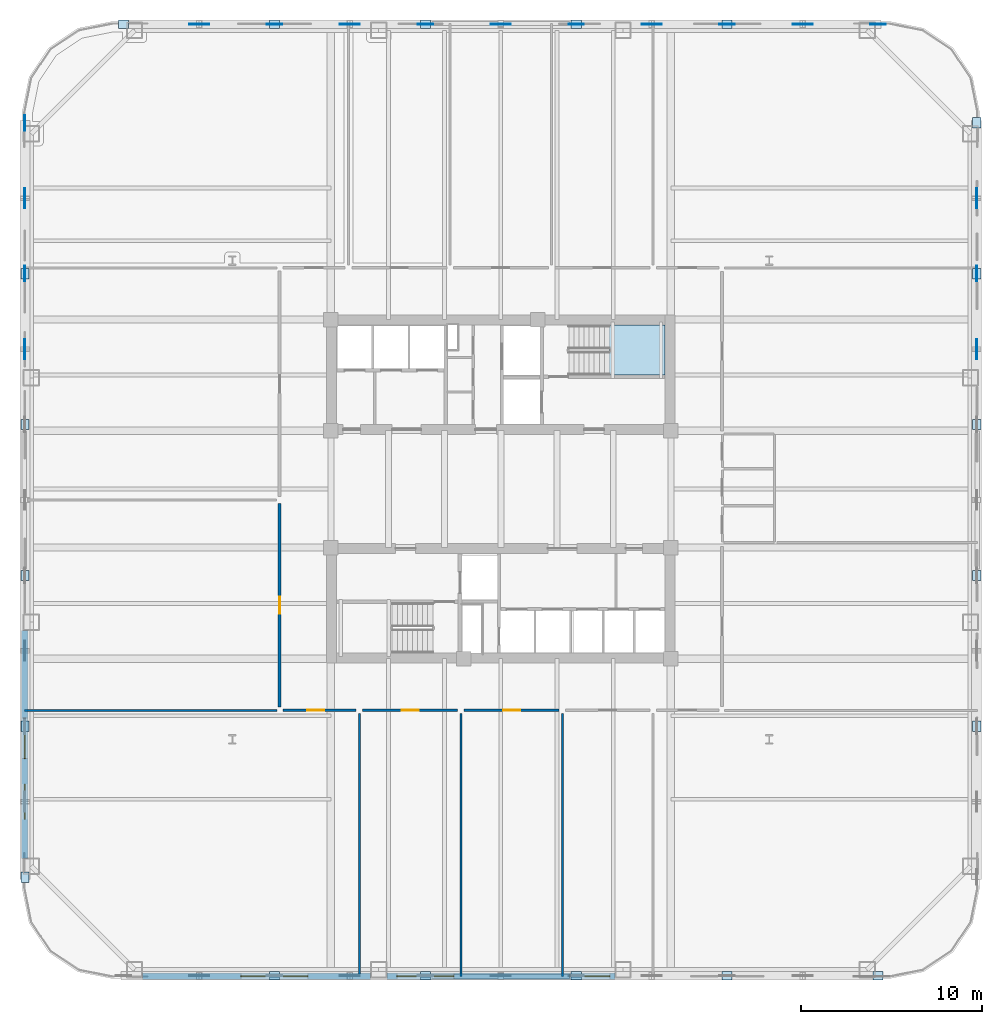
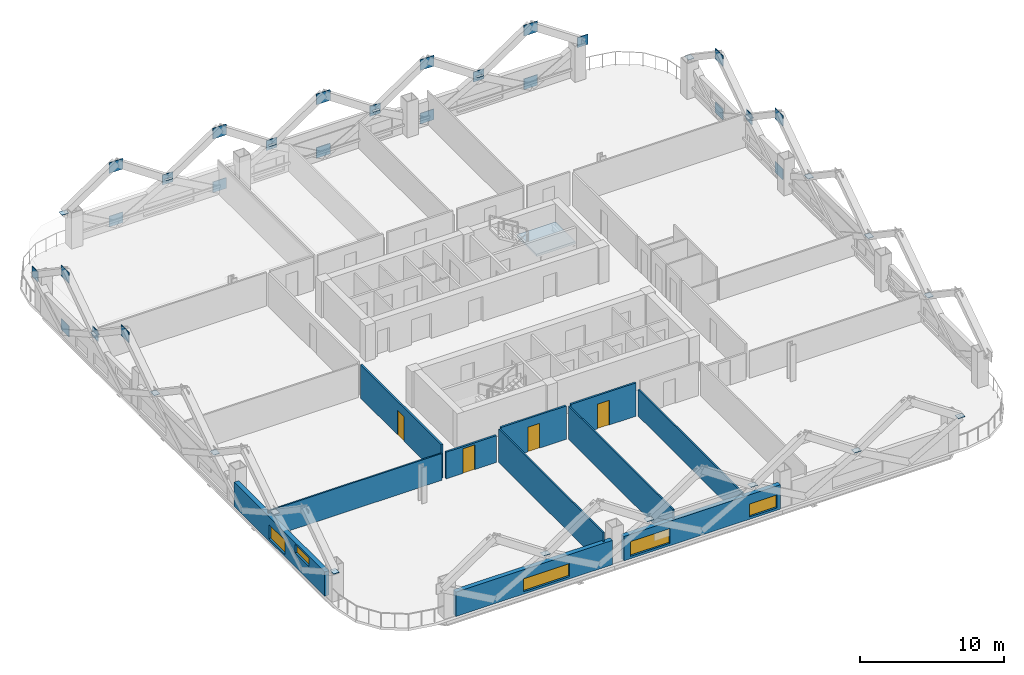
# One storey, part 4 of 14: 45 plates, 11 walls, 5 windows, 4 doors, 1 slab, 9 openings, 1 element without a shape of its own.
"""IFC4 building model written with IfcOpenShell, lengths in metres."""

from ifc_helpers import new_model, si_unit, direction, frame, frame_2d, origin, origin_2d, place, context, subcontext, project, spatial, polyline, rectangle, outline, extrude, material, layer, layer_set, type_object, element, fill, aggregate, save


model = new_model("IFC4")

# Units and contexts
model_context = context("Model", 3, precision=1e-05, world=origin(), true_north=direction((0.0, 1.0)))
body_context = subcontext(model_context, "Body", "Model", "MODEL_VIEW")
ifc_project = project(units=[si_unit("LENGTHUNIT", "METRE"), si_unit("AREAUNIT", "SQUARE_METRE"), si_unit("VOLUMEUNIT", "CUBIC_METRE"), si_unit("PLANEANGLEUNIT", "RADIAN"), si_unit("MASSUNIT", "GRAM", prefix="KILO")], contexts=[model_context])

# Site, building, storey
site_placement = place(None, origin())
site = spatial("IfcSite", under=ifc_project, at=site_placement, CompositionType="ELEMENT")
building_placement = place(site_placement, origin())
building = spatial("IfcBuilding", under=site, at=building_placement, Name="Qhalaya Broadcast Tower", CompositionType="ELEMENT")
storey_placement = place(building_placement, frame((0.0, 0.0, 38.300048828125)))
storey = spatial("IfcBuildingStorey", under=building, at=storey_placement, Name="L10", CompositionType="ELEMENT", Elevation=38.300048828125)

# Plates
ifc_material_1 = material(Name="Structural Steel ASTM A572 Grade 50", Category="steel")
ifc_layer_1 = layer(ifc_material_1, 0.054931640625, Name="Structural Steel ASTM A572 Grade 50")
ifc_layer_set_1 = layer_set([ifc_layer_1], Name="Structural Steel ASTM A572 Grade 50")
plate_type_1 = type_object("IfcPlateType", Name="Exoskeleton Diamond Node Gusset Plate NP-01", PredefinedType="USERDEFINED", material=ifc_layer_set_1)
for number, where, z_axis, x_axis, name in (
    (1, (26.239990234375, 8.320068359375, 0.2099609375), (0.0, 0.0, 1.0), (0.0, 1.0, 0.0), "Exoskeleton Diamond Node B1-E4-BOT"),
    (2, (26.239990234375, 8.320068359375, 4.75), (0.0, 0.0, 1.0), (0.0, 1.0, 0.0), "Exoskeleton Diamond Node B1-E4-TOP"),
    (3, (26.239990234375, 16.639892578125, 0.2099609375), (0.0, 0.0, 1.0), (0.0, 1.0, 0.0), "Exoskeleton Diamond Node B1-E5-BOT"),
    (4, (26.239990234375, 16.639892578125, 4.75), (0.0, 0.0, 1.0), (0.0, 1.0, 0.0), "Exoskeleton Diamond Node B1-E5-TOP"),
):
    element("IfcPlate", number, at=place(storey_placement, frame(where, z_axis=z_axis, x_axis=x_axis)), inside=storey, type_object=plate_type_1, Name=name, ObjectType="GUSSET_PLATE", PredefinedType="USERDEFINED", context=body_context, shape_type="SweptSolid", body=[
        extrude(rectangle(XDim=1.10009765625, YDim=0.054931640625, at=origin_2d()), origin(), (0.0, 0.0, 1.0), 0.89990234375),
    ])
plate_1_placement = place(storey_placement, frame((26.239990234375, 12.47998046875, 2.264892578125), z_axis=(0.0, 0.0, 1.0), x_axis=(0.0, 1.0, 0.0)))
element("IfcPlate", 5, at=plate_1_placement, inside=storey, type_object=plate_type_1, Name="Exoskeleton Diamond Node B1-E5-MDL", ObjectType="GUSSET_PLATE", PredefinedType="USERDEFINED", context=body_context, shape_type="SweptSolid", body=[
    extrude(rectangle(XDim=0.85009765625, YDim=0.054931640625, at=origin_2d()), origin(), (0.0, 0.0, 1.0), 0.85009765625),
])
for number, where, z_axis, x_axis, name in (
    (6, (16.639892578125, 26.239990234375, 0.2099609375), (0.0, 0.0, 1.0), (1.0, 0.0, 0.0), "Exoskeleton Diamond Node B1-N1-BOT"),
    (7, (16.639892578125, 26.239990234375, 4.75), (0.0, 0.0, 1.0), (1.0, 0.0, 0.0), "Exoskeleton Diamond Node B1-N1-TOP"),
):
    element("IfcPlate", number, at=place(storey_placement, frame(where, z_axis=z_axis, x_axis=x_axis)), inside=storey, type_object=plate_type_1, Name=name, ObjectType="GUSSET_PLATE", PredefinedType="USERDEFINED", context=body_context, shape_type="SweptSolid", body=[
        extrude(rectangle(XDim=1.10009765625, YDim=0.054931640625, at=origin_2d()), origin(), (0.0, 0.0, 1.0), 0.89990234375),
    ])
plate_2_placement = place(storey_placement, frame((20.800048828125, 26.239990234375, 2.264892578125), z_axis=(0.0, 0.0, 1.0), x_axis=(1.0, 0.0, 0.0)))
element("IfcPlate", 8, at=plate_2_placement, inside=storey, type_object=plate_type_1, Name="Exoskeleton Diamond Node B1-N1-MDL", ObjectType="GUSSET_PLATE", PredefinedType="USERDEFINED", context=body_context, shape_type="SweptSolid", body=[
    extrude(rectangle(XDim=0.85009765625, YDim=0.054931640625, at=origin_2d()), origin(), (0.0, 0.0, 1.0), 0.85009765625),
])
for number, where, z_axis, x_axis, name in (
    (9, (8.320068359375, 26.239990234375, 0.2099609375), (0.0, 0.0, 1.0), (1.0, 0.0, 0.0), "Exoskeleton Diamond Node B1-N2-BOT"),
    (10, (8.320068359375, 26.239990234375, 4.75), (0.0, 0.0, 1.0), (1.0, 0.0, 0.0), "Exoskeleton Diamond Node B1-N2-TOP"),
):
    element("IfcPlate", number, at=place(storey_placement, frame(where, z_axis=z_axis, x_axis=x_axis)), inside=storey, type_object=plate_type_1, Name=name, ObjectType="GUSSET_PLATE", PredefinedType="USERDEFINED", context=body_context, shape_type="SweptSolid", body=[
        extrude(rectangle(XDim=1.10009765625, YDim=0.054931640625, at=origin_2d()), origin(), (0.0, 0.0, 1.0), 0.89990234375),
    ])
plate_3_placement = place(storey_placement, frame((12.47998046875, 26.239990234375, 2.264892578125), z_axis=(0.0, 0.0, 1.0), x_axis=(1.0, 0.0, 0.0)))
element("IfcPlate", 11, at=plate_3_placement, inside=storey, type_object=plate_type_1, Name="Exoskeleton Diamond Node B1-N2-MDL", ObjectType="GUSSET_PLATE", PredefinedType="USERDEFINED", context=body_context, shape_type="SweptSolid", body=[
    extrude(rectangle(XDim=0.85009765625, YDim=0.054931640625, at=origin_2d()), origin(), (0.0, 0.0, 1.0), 0.85009765625),
])
for number, where, z_axis, x_axis, name in (
    (12, (0.0, 26.239990234375, 0.2099609375), (0.0, 0.0, 1.0), (1.0, 0.0, 0.0), "Exoskeleton Diamond Node B1-N3-BOT"),
    (13, (0.0, 26.239990234375, 4.75), (0.0, 0.0, 1.0), (1.0, 0.0, 0.0), "Exoskeleton Diamond Node B1-N3-TOP"),
):
    element("IfcPlate", number, at=place(storey_placement, frame(where, z_axis=z_axis, x_axis=x_axis)), inside=storey, type_object=plate_type_1, Name=name, ObjectType="GUSSET_PLATE", PredefinedType="USERDEFINED", context=body_context, shape_type="SweptSolid", body=[
        extrude(rectangle(XDim=1.10009765625, YDim=0.054931640625, at=origin_2d()), origin(), (0.0, 0.0, 1.0), 0.89990234375),
    ])
plate_4_placement = place(storey_placement, frame((4.159912109375, 26.239990234375, 2.264892578125), z_axis=(0.0, 0.0, 1.0), x_axis=(1.0, 0.0, 0.0)))
element("IfcPlate", 14, at=plate_4_placement, inside=storey, type_object=plate_type_1, Name="Exoskeleton Diamond Node B1-N3-MDL", ObjectType="GUSSET_PLATE", PredefinedType="USERDEFINED", context=body_context, shape_type="SweptSolid", body=[
    extrude(rectangle(XDim=0.85009765625, YDim=0.054931640625, at=origin_2d()), origin(), (0.0, 0.0, 1.0), 0.85009765625),
])
for number, where, z_axis, x_axis, name in (
    (15, (-8.320068359375, 26.239990234375, 0.2099609375), (0.0, 0.0, 1.0), (1.0, 0.0, 0.0), "Exoskeleton Diamond Node B1-N4-BOT"),
    (16, (-8.320068359375, 26.239990234375, 4.75), (0.0, 0.0, 1.0), (1.0, 0.0, 0.0), "Exoskeleton Diamond Node B1-N4-TOP"),
):
    element("IfcPlate", number, at=place(storey_placement, frame(where, z_axis=z_axis, x_axis=x_axis)), inside=storey, type_object=plate_type_1, Name=name, ObjectType="GUSSET_PLATE", PredefinedType="USERDEFINED", context=body_context, shape_type="SweptSolid", body=[
        extrude(rectangle(XDim=1.10009765625, YDim=0.054931640625, at=origin_2d()), origin(), (0.0, 0.0, 1.0), 0.89990234375),
    ])
plate_5_placement = place(storey_placement, frame((-4.159912109375, 26.239990234375, 2.264892578125), z_axis=(0.0, 0.0, 1.0), x_axis=(1.0, 0.0, 0.0)))
element("IfcPlate", 17, at=plate_5_placement, inside=storey, type_object=plate_type_1, Name="Exoskeleton Diamond Node B1-N4-MDL", ObjectType="GUSSET_PLATE", PredefinedType="USERDEFINED", context=body_context, shape_type="SweptSolid", body=[
    extrude(rectangle(XDim=0.85009765625, YDim=0.054931640625, at=origin_2d()), origin(), (0.0, 0.0, 1.0), 0.85009765625),
])
for number, where, z_axis, x_axis, name in (
    (18, (-16.639892578125, 26.239990234375, 0.2099609375), (0.0, 0.0, 1.0), (1.0, 0.0, 0.0), "Exoskeleton Diamond Node B1-N5-BOT"),
    (19, (-16.639892578125, 26.239990234375, 4.75), (0.0, 0.0, 1.0), (1.0, 0.0, 0.0), "Exoskeleton Diamond Node B1-N5-TOP"),
):
    element("IfcPlate", number, at=place(storey_placement, frame(where, z_axis=z_axis, x_axis=x_axis)), inside=storey, type_object=plate_type_1, Name=name, ObjectType="GUSSET_PLATE", PredefinedType="USERDEFINED", context=body_context, shape_type="SweptSolid", body=[
        extrude(rectangle(XDim=1.10009765625, YDim=0.054931640625, at=origin_2d()), origin(), (0.0, 0.0, 1.0), 0.89990234375),
    ])
plate_6_placement = place(storey_placement, frame((-12.47998046875, 26.239990234375, 2.264892578125), z_axis=(0.0, 0.0, 1.0), x_axis=(1.0, 0.0, 0.0)))
element("IfcPlate", 20, at=plate_6_placement, inside=storey, type_object=plate_type_1, Name="Exoskeleton Diamond Node B1-N5-MDL", ObjectType="GUSSET_PLATE", PredefinedType="USERDEFINED", context=body_context, shape_type="SweptSolid", body=[
    extrude(rectangle(XDim=0.85009765625, YDim=0.054931640625, at=origin_2d()), origin(), (0.0, 0.0, 1.0), 0.85009765625),
])
for number, where, z_axis, x_axis, name in (
    (21, (-26.239990234375, 16.639892578125, 0.2099609375), (0.0, 0.0, 1.0), (0.0, 1.0, 0.0), "Exoskeleton Diamond Node B1-W1-BOT"),
    (22, (-26.239990234375, 16.639892578125, 4.75), (0.0, 0.0, 1.0), (0.0, 1.0, 0.0), "Exoskeleton Diamond Node B1-W1-TOP"),
):
    element("IfcPlate", number, at=place(storey_placement, frame(where, z_axis=z_axis, x_axis=x_axis)), inside=storey, type_object=plate_type_1, Name=name, ObjectType="GUSSET_PLATE", PredefinedType="USERDEFINED", context=body_context, shape_type="SweptSolid", body=[
        extrude(rectangle(XDim=1.10009765625, YDim=0.054931640625, at=origin_2d()), origin(), (0.0, 0.0, 1.0), 0.89990234375),
    ])
plate_7_placement = place(storey_placement, frame((-26.239990234375, 20.800048828125, 2.264892578125), z_axis=(0.0, 0.0, 1.0), x_axis=(0.0, 1.0, 0.0)))
element("IfcPlate", 23, at=plate_7_placement, inside=storey, type_object=plate_type_1, Name="Exoskeleton Diamond Node B1-W1-MDL", ObjectType="GUSSET_PLATE", PredefinedType="USERDEFINED", context=body_context, shape_type="SweptSolid", body=[
    extrude(rectangle(XDim=0.85009765625, YDim=0.054931640625, at=origin_2d()), origin(), (0.0, 0.0, 1.0), 0.85009765625),
])
plate_8_placement = place(storey_placement, frame((-26.239990234375, 8.320068359375, 4.75), z_axis=(0.0, 0.0, 1.0), x_axis=(0.0, 1.0, 0.0)))
element("IfcPlate", 24, at=plate_8_placement, inside=storey, type_object=plate_type_1, Name="Exoskeleton Diamond Node B1-W2-TOP", ObjectType="GUSSET_PLATE", PredefinedType="USERDEFINED", context=body_context, shape_type="SweptSolid", body=[
    extrude(rectangle(XDim=1.10009765625, YDim=0.054931640625, at=origin_2d()), origin(), (0.0, 0.0, 1.0), 0.89990234375),
])
plate_9_placement = place(storey_placement, frame((-26.239990234375, 12.47998046875, 2.264892578125), z_axis=(0.0, 0.0, 1.0), x_axis=(0.0, 1.0, 0.0)))
element("IfcPlate", 25, at=plate_9_placement, inside=storey, type_object=plate_type_1, Name="Exoskeleton Diamond Node B1-W2-MDL", ObjectType="GUSSET_PLATE", PredefinedType="USERDEFINED", context=body_context, shape_type="SweptSolid", body=[
    extrude(rectangle(XDim=0.85009765625, YDim=0.054931640625, at=origin_2d()), origin(), (0.0, 0.0, 1.0), 0.85009765625),
])
ifc_layer_2 = layer(ifc_material_1, 0.4599609375, Name="Structural Steel ASTM A572 Grade 50")
ifc_layer_set_2 = layer_set([ifc_layer_2], Name="Structural Steel ASTM A572 Grade 50")
plate_type_2 = type_object("IfcPlateType", Name="Hollow Box Member End Cap Plate CP-01", PredefinedType="USERDEFINED", material=ifc_layer_set_2)
for number, where, z_axis, x_axis, name in (
    (26, (-12.47998046875, -26.239990234375, 2.673828125), (0.0, 0.0, 1.0), (1.0, 0.0, 0.0), "Exoskeleton Hollow End Cap B1-S1"),
    (27, (-4.159912109375, -26.239990234375, 2.673828125), (0.0, 0.0, 1.0), (1.0, 0.0, 0.0), "Exoskeleton Hollow End Cap B1-S2"),
    (28, (4.159912109375, -26.239990234375, 2.673828125), (0.0, 0.0, 1.0), (1.0, 0.0, 0.0), "Exoskeleton Hollow End Cap B1-S3"),
    (29, (12.47998046875, -26.239990234375, 2.673828125), (0.0, 0.0, 1.0), (1.0, 0.0, 0.0), "Exoskeleton Hollow End Cap B1-S4"),
    (30, (20.800048828125, -26.239990234375, 2.673828125), (0.0, 0.0, 1.0), (1.0, 0.0, 0.0), "Exoskeleton Hollow End Cap B1-S5"),
    (31, (26.239990234375, -12.47998046875, 2.673828125), (0.0, 0.0, 1.0), (0.0, 1.0, 0.0), "Exoskeleton Hollow End Cap B1-E1"),
    (32, (26.239990234375, -4.159912109375, 2.673828125), (0.0, 0.0, 1.0), (0.0, 1.0, 0.0), "Exoskeleton Hollow End Cap B1-E2"),
    (33, (26.239990234375, 4.159912109375, 2.673828125), (0.0, 0.0, 1.0), (0.0, 1.0, 0.0), "Exoskeleton Hollow End Cap B1-E3"),
    (34, (26.239990234375, 12.47998046875, 2.673828125), (0.0, 0.0, 1.0), (0.0, 1.0, 0.0), "Exoskeleton Hollow End Cap B1-E4"),
    (35, (26.239990234375, 20.800048828125, 2.673828125), (0.0, 0.0, 1.0), (0.0, 1.0, 0.0), "Exoskeleton Hollow End Cap B1-E5"),
    (36, (12.47998046875, 26.239990234375, 2.673828125), (0.0, 0.0, 1.0), (1.0, 0.0, 0.0), "Exoskeleton Hollow End Cap B1-N1"),
    (37, (4.159912109375, 26.239990234375, 2.673828125), (0.0, 0.0, 1.0), (1.0, 0.0, 0.0), "Exoskeleton Hollow End Cap B1-N2"),
    (38, (-4.159912109375, 26.239990234375, 2.673828125), (0.0, 0.0, 1.0), (1.0, 0.0, 0.0), "Exoskeleton Hollow End Cap B1-N3"),
    (39, (-12.47998046875, 26.239990234375, 2.673828125), (0.0, 0.0, 1.0), (1.0, 0.0, 0.0), "Exoskeleton Hollow End Cap B1-N4"),
    (40, (-20.800048828125, 26.239990234375, 2.673828125), (0.0, 0.0, 1.0), (1.0, 0.0, 0.0), "Exoskeleton Hollow End Cap B1-N5"),
    (41, (-26.239990234375, 12.47998046875, 2.673828125), (0.0, 0.0, 1.0), (0.0, 1.0, 0.0), "Exoskeleton Hollow End Cap B1-W1"),
    (42, (-26.239990234375, 4.159912109375, 2.673828125), (0.0, 0.0, 1.0), (0.0, 1.0, 0.0), "Exoskeleton Hollow End Cap B1-W2"),
    (43, (-26.239990234375, -4.159912109375, 2.673828125), (0.0, 0.0, 1.0), (0.0, 1.0, 0.0), "Exoskeleton Hollow End Cap B1-W3"),
    (44, (-26.239990234375, -12.47998046875, 2.673828125), (0.0, 0.0, 1.0), (0.0, 1.0, 0.0), "Exoskeleton Hollow End Cap B1-W4"),
    (45, (-26.239990234375, -20.800048828125, 2.673828125), (0.0, 0.0, 1.0), (0.0, 1.0, 0.0), "Exoskeleton Hollow End Cap B1-W5"),
):
    element("IfcPlate", number, at=place(storey_placement, frame(where, z_axis=z_axis, x_axis=x_axis)), inside=storey, type_object=plate_type_2, Name=name, ObjectType="COVER_PLATE", PredefinedType="USERDEFINED", context=body_context, shape_type="SweptSolid", body=[
        extrude(rectangle(XDim=0.56005859375, YDim=0.4599609375, at=origin_2d()), origin(), (0.0, 0.0, 1.0), 0.031982421875),
    ])

# Stair, slab
ifc_material_2 = material(Name="Concrete C40/50", Category="concrete")
stair_type = type_object("IfcStairType", Name="Protected Dogleg Core Stair 3150", PredefinedType="TWO_STRAIGHT_RUN_STAIR", material=ifc_material_2)
stair_placement = place(storey_placement, origin())
stair = element("IfcStair", 46, at=stair_placement, inside=storey, type_object=stair_type, Name="L10 North Core Exit Stair ST-1", PredefinedType="TWO_STRAIGHT_RUN_STAIR")
ifc_layer_3 = layer(ifc_material_2, 0.199951171875, Name="Concrete C40/50")
ifc_layer_set_3 = layer_set([ifc_layer_3], Name="Concrete C40/50")
slab_type = type_object("IfcSlabType", Name="Stair & Ramp Half-Landing Slab 200", PredefinedType="LANDING", material=ifc_layer_set_3)
slab_placement = place(storey_placement, frame((0.0, 0.0, 1.324951171875)))
slab = element("IfcSlab", 47, at=slab_placement, type_object=slab_type, Name="ST-1 landing 1", PredefinedType="LANDING", context=body_context, shape_type="SweptSolid", body=[
    extrude(outline(polyline([(5.955078125, 6.8798828125), (9.050048828125, 6.8798828125), (9.050048828125, 9.639892578125), (5.955078125, 9.639892578125), (5.955078125, 6.8798828125)])), origin(), (0.0, 0.0, 1.0), 0.199951171875),
])
aggregate(stair, [slab])

# Wall, opening, door
ifc_material_3 = material(Name="Gypsum Acoustic Partition")
ifc_layer_4 = layer(ifc_material_3, 0.14990234375, Name="Gypsum Acoustic Partition")
ifc_layer_set_4 = layer_set([ifc_layer_4], Name="Gypsum Acoustic Partition")
wall_type_1 = type_object("IfcWallType", Name="Corridor & Tenancy Acoustic Partition 150", PredefinedType="PARTITIONING", material=ifc_layer_set_4)
wall_1_placement = place(storey_placement, frame((-12.02001953125, -11.60009765625, 0.0), z_axis=(0.0, 0.0, 1.0), x_axis=(1.0, 0.0, 0.0)))
wall_1 = element("IfcWall", 48, at=wall_1_placement, inside=storey, type_object=wall_type_1, Name="L10 Partition Wall W-COR-06", PredefinedType="PARTITIONING", context=body_context, shape_type="SweptSolid", body=[
    extrude(rectangle(XDim=4.0400390625, YDim=0.14990234375, at=frame_2d((2.02001953125, 0.0))), origin(), (0.0, 0.0, 1.0), 2.27392578125),
])
opening_1_placement = place(wall_1_placement, frame((1.344970703125, 0.0, 0.0)))
opening_1 = element("IfcOpeningElement", 49, at=opening_1_placement, cuts=wall_1, Name="Opening D10", PredefinedType="OPENING", context=body_context, shape_type="SweptSolid", body=[
    extrude(rectangle(XDim=0.949951171875, YDim=2.10009765625, at=frame_2d((0.47509765625, 1.050048828125))), frame((0.0, 0.0869140625, 0.0), z_axis=(0.0, -1.0, 0.0), x_axis=(1.0, 0.0, 0.0)), (0.0, 0.0, 1.0), 0.173828125),
])
ifc_material_4 = material(Name="Timber Veneer Acoustic Door", Category="wood")
door_type = type_object("IfcDoorType", Name="Cellular Office & Edit Booth Door D10", OperationType="NOTDEFINED", PredefinedType="DOOR", material=ifc_material_4)
door_1_placement = place(opening_1_placement, origin())
door_1 = element("IfcDoor", 50, at=door_1_placement, inside=storey, type_object=door_type, Name="L10 Door D-RM06", OperationType="SINGLE_SWING_LEFT", OverallHeight=2.10009765625, OverallWidth=0.949951171875, PredefinedType="DOOR", context=body_context, shape_type="SweptSolid", body=[
    extrude(rectangle(XDim=0.949951171875, YDim=2.10009765625, at=frame_2d((0.47509765625, 1.050048828125))), frame((0.0, 0.02490234375, 0.0), z_axis=(0.0, -1.0, 0.0), x_axis=(1.0, 0.0, 0.0)), (0.0, 0.0, 1.0), 0.050048828125),
])
fill(opening_1, door_1)

wall_2_placement = place(storey_placement, frame((-7.6201171875, -11.60009765625, 0.0), z_axis=(0.0, 0.0, 1.0), x_axis=(1.0, 0.0, 0.0)))
wall_2 = element("IfcWall", 51, at=wall_2_placement, inside=storey, type_object=wall_type_1, Name="L10 Partition Wall W-COR-07", PredefinedType="PARTITIONING", context=body_context, shape_type="SweptSolid", body=[
    extrude(rectangle(XDim=5.240234375, YDim=0.14990234375, at=frame_2d((2.6201171875, 0.0))), origin(), (0.0, 0.0, 1.0), 2.829833984375),
])
opening_2_placement = place(wall_2_placement, frame((2.14501953125, 0.0, 0.0)))
opening_2 = element("IfcOpeningElement", 52, at=opening_2_placement, cuts=wall_2, Name="Opening D10", PredefinedType="OPENING", context=body_context, shape_type="SweptSolid", body=[
    extrude(rectangle(XDim=0.949951171875, YDim=2.10009765625, at=frame_2d((0.47509765625, 1.050048828125))), frame((0.0, 0.0869140625, 0.0), z_axis=(0.0, -1.0, 0.0), x_axis=(1.0, 0.0, 0.0)), (0.0, 0.0, 1.0), 0.173828125),
])
door_2_placement = place(opening_2_placement, origin())
door_2 = element("IfcDoor", 53, at=door_2_placement, inside=storey, type_object=door_type, Name="L10 Door D-RM07", OperationType="SINGLE_SWING_RIGHT", OverallHeight=2.10009765625, OverallWidth=0.949951171875, PredefinedType="DOOR", context=body_context, shape_type="SweptSolid", body=[
    extrude(rectangle(XDim=0.949951171875, YDim=2.10009765625, at=frame_2d((0.47509765625, 1.050048828125))), frame((0.0, 0.02490234375, 0.0), z_axis=(0.0, -1.0, 0.0), x_axis=(1.0, 0.0, 0.0)), (0.0, 0.0, 1.0), 0.050048828125),
])
fill(opening_2, door_2)

wall_3_placement = place(storey_placement, frame((-2.02001953125, -11.60009765625, 0.0), z_axis=(0.0, 0.0, 1.0), x_axis=(1.0, 0.0, 0.0)))
wall_3 = element("IfcWall", 54, at=wall_3_placement, inside=storey, type_object=wall_type_1, Name="L10 Partition Wall W-COR-08", PredefinedType="PARTITIONING", context=body_context, shape_type="SweptSolid", body=[
    extrude(rectangle(XDim=5.239990234375, YDim=0.14990234375, at=frame_2d((2.6201171875, 0.0))), origin(), (0.0, 0.0, 1.0), 2.829833984375),
])
opening_3_placement = place(wall_3_placement, frame((2.14501953125, 0.0, 0.0)))
opening_3 = element("IfcOpeningElement", 55, at=opening_3_placement, cuts=wall_3, Name="Opening D10", PredefinedType="OPENING", context=body_context, shape_type="SweptSolid", body=[
    extrude(rectangle(XDim=0.949951171875, YDim=2.10009765625, at=frame_2d((0.47509765625, 1.050048828125))), frame((0.0, 0.0869140625, 0.0), z_axis=(0.0, -1.0, 0.0), x_axis=(1.0, 0.0, 0.0)), (0.0, 0.0, 1.0), 0.173828125),
])
door_3_placement = place(opening_3_placement, origin())
door_3 = element("IfcDoor", 56, at=door_3_placement, inside=storey, type_object=door_type, Name="L10 Door D-RM08", OperationType="SINGLE_SWING_LEFT", OverallHeight=2.10009765625, OverallWidth=0.949951171875, PredefinedType="DOOR", context=body_context, shape_type="SweptSolid", body=[
    extrude(rectangle(XDim=0.949951171875, YDim=2.10009765625, at=frame_2d((0.47509765625, 1.050048828125))), frame((0.0, 0.02490234375, 0.0), z_axis=(0.0, -1.0, 0.0), x_axis=(1.0, 0.0, 0.0)), (0.0, 0.0, 1.0), 0.050048828125),
])
fill(opening_3, door_3)

wall_4_placement = place(storey_placement, frame((-12.199951171875, -11.419921875, 0.0), z_axis=(0.0, 0.0, 1.0), x_axis=(0.0, 1.0, 0.0)))
wall_4 = element("IfcWall", 57, at=wall_4_placement, inside=storey, type_object=wall_type_1, Name="L10 Partition Wall W-COR-11", PredefinedType="PARTITIONING", context=body_context, shape_type="SweptSolid", body=[
    extrude(rectangle(XDim=11.239990234375, YDim=0.14990234375, at=frame_2d((5.6201171875, 0.0))), origin(), (0.0, 0.0, 1.0), 2.829833984375),
])
opening_4_placement = place(wall_4_placement, frame((5.14501953125, 0.0, 0.0)))
opening_4 = element("IfcOpeningElement", 58, at=opening_4_placement, cuts=wall_4, Name="Opening D10", PredefinedType="OPENING", context=body_context, shape_type="SweptSolid", body=[
    extrude(rectangle(XDim=0.949951171875, YDim=2.10009765625, at=frame_2d((0.47509765625, 1.050048828125))), frame((0.0, 0.0869140625, 0.0), z_axis=(0.0, -1.0, 0.0), x_axis=(1.0, 0.0, 0.0)), (0.0, 0.0, 1.0), 0.173828125),
])
door_4_placement = place(opening_4_placement, origin())
door_4 = element("IfcDoor", 59, at=door_4_placement, inside=storey, type_object=door_type, Name="L10 Door D-RM11", OperationType="SINGLE_SWING_RIGHT", OverallHeight=2.10009765625, OverallWidth=0.949951171875, PredefinedType="DOOR", context=body_context, shape_type="SweptSolid", body=[
    extrude(rectangle(XDim=0.949951171875, YDim=2.10009765625, at=frame_2d((0.47509765625, 1.050048828125))), frame((0.0, 0.02490234375, 0.0), z_axis=(0.0, -1.0, 0.0), x_axis=(1.0, 0.0, 0.0)), (0.0, 0.0, 1.0), 0.050048828125),
])
fill(opening_4, door_4)

# Wall, openings, windows
ifc_material_5 = material(Name="Precast Concrete C40/50", Category="concrete")
ifc_layer_5 = layer(ifc_material_5, 0.360107421875, Name="Precast Concrete C40/50")
ifc_layer_set_5 = layer_set([ifc_layer_5], Name="Precast Concrete C40/50")
wall_type_2 = type_object("IfcWallType", Name="Insulated Precast Terracotta Exterior Wall 360", PredefinedType="SOLIDWALL", material=ifc_layer_set_5)
wall_5_placement = place(storey_placement, frame((6.283203125, -26.260009765625, 0.0), z_axis=(0.0, 0.0, 1.0), x_axis=(-1.0, 0.0, 0.0)))
wall_5 = element("IfcWall", 60, at=wall_5_placement, inside=storey, type_object=wall_type_2, Name="L10 Exoskeleton Diagrid Infill Wall S2", PredefinedType="SOLIDWALL", context=body_context, shape_type="SweptSolid", body=[
    extrude(rectangle(XDim=12.56640625, YDim=0.360107421875, at=frame_2d((6.283203125, 0.0))), origin(), (0.0, 0.0, 1.0), 2.06689453125),
])
opening_5_placement = place(wall_5_placement, frame((0.27099609375, 0.0, 0.199951171875)))
opening_5 = element("IfcOpeningElement", 61, at=opening_5_placement, cuts=wall_5, Name="Opening W11", PredefinedType="OPENING", context=body_context, shape_type="SweptSolid", body=[
    extrude(rectangle(XDim=2.199951171875, YDim=1.10009765625, at=frame_2d((1.10009765625, 0.550048828125))), frame((0.0, 0.192138671875, 0.0), z_axis=(0.0, -1.0, 0.0), x_axis=(1.0, 0.0, 0.0)), (0.0, 0.0, 1.0), 0.384033203125),
])
opening_6_placement = place(wall_5_placement, frame((8.87109375, 0.0, 0.199951171875)))
opening_6 = element("IfcOpeningElement", 62, at=opening_6_placement, cuts=wall_5, Name="Opening W11", PredefinedType="OPENING", context=body_context, shape_type="SweptSolid", body=[
    extrude(rectangle(XDim=3.14990234375, YDim=1.25, at=frame_2d((1.574951171875, 0.625))), frame((0.0, 0.192138671875, 0.0), z_axis=(0.0, -1.0, 0.0), x_axis=(1.0, 0.0, 0.0)), (0.0, 0.0, 1.0), 0.384033203125),
])
ifc_material_6 = material(Name="Solar-Control Low-E Triple Glazing", Category="glass")
window_type = type_object("IfcWindowType", Name="Odd-Block Diagrid Infill Window W11", PartitioningType="SINGLE_PANEL", PredefinedType="WINDOW", material=ifc_material_6)
window_1_placement = place(opening_5_placement, origin())
window_1 = element("IfcWindow", 63, at=window_1_placement, inside=storey, type_object=window_type, Name="L10 Diagrid Infill Window W11-S2", OverallHeight=1.10009765625, OverallWidth=2.199951171875, PartitioningType="SINGLE_PANEL", PredefinedType="WINDOW", context=body_context, shape_type="SweptSolid", body=[
    extrude(rectangle(XDim=2.199951171875, YDim=1.10009765625, at=frame_2d((1.10009765625, 0.550048828125))), frame((0.0, 0.030029296875, 0.0), z_axis=(0.0, -1.0, 0.0), x_axis=(1.0, 0.0, 0.0)), (0.0, 0.0, 1.0), 0.06005859375),
])
fill(opening_5, window_1)
window_2_placement = place(opening_6_placement, origin())
window_2 = element("IfcWindow", 64, at=window_2_placement, inside=storey, type_object=window_type, Name="L10 Diagrid Infill Window W11-S3", OverallHeight=1.25, OverallWidth=3.14990234375, PartitioningType="SINGLE_PANEL", PredefinedType="WINDOW", context=body_context, shape_type="SweptSolid", body=[
    extrude(rectangle(XDim=3.14990234375, YDim=1.25, at=frame_2d((1.574951171875, 0.625))), frame((0.0, 0.030029296875, 0.0), z_axis=(0.0, -1.0, 0.0), x_axis=(1.0, 0.0, 0.0)), (0.0, 0.0, 1.0), 0.06005859375),
])
fill(opening_6, window_2)

# Wall, opening, window
wall_6_placement = place(storey_placement, frame((-7.183349609375, -26.260009765625, 0.0), z_axis=(0.0, 0.0, 1.0), x_axis=(-1.0, 0.0, 0.0)))
wall_6 = element("IfcWall", 65, at=wall_6_placement, inside=storey, type_object=wall_type_2, Name="L10 Exoskeleton Diagrid Infill Wall S3", PredefinedType="SOLIDWALL", context=body_context, shape_type="SweptSolid", body=[
    extrude(rectangle(XDim=12.57861328125, YDim=0.360107421875, at=frame_2d((6.289306640625, 0.0))), origin(), (0.0, 0.0, 1.0), 2.06689453125),
])
opening_7_placement = place(wall_6_placement, frame((3.455078125, 0.0, 0.199951171875)))
opening_7 = element("IfcOpeningElement", 66, at=opening_7_placement, cuts=wall_6, Name="Opening W11", PredefinedType="OPENING", context=body_context, shape_type="SweptSolid", body=[
    extrude(rectangle(XDim=3.699951171875, YDim=1.10009765625, at=frame_2d((1.85009765625, 0.550048828125))), frame((0.0, 0.192138671875, 0.0), z_axis=(0.0, -1.0, 0.0), x_axis=(1.0, 0.0, 0.0)), (0.0, 0.0, 1.0), 0.384033203125),
])
window_3_placement = place(opening_7_placement, origin())
window_3 = element("IfcWindow", 67, at=window_3_placement, inside=storey, type_object=window_type, Name="L10 Diagrid Infill Window W11-S4", OverallHeight=1.10009765625, OverallWidth=3.699951171875, PartitioningType="SINGLE_PANEL", PredefinedType="WINDOW", context=body_context, shape_type="SweptSolid", body=[
    extrude(rectangle(XDim=3.699951171875, YDim=1.10009765625, at=frame_2d((1.85009765625, 0.550048828125))), frame((0.0, 0.030029296875, 0.0), z_axis=(0.0, -1.0, 0.0), x_axis=(1.0, 0.0, 0.0)), (0.0, 0.0, 1.0), 0.06005859375),
])
fill(opening_7, window_3)

# Wall, openings, windows
wall_7_placement = place(storey_placement, frame((-26.260009765625, -19.761962890625, 0.0), z_axis=(0.0, 0.0, 1.0), x_axis=(0.0, 1.0, 0.0)))
wall_7 = element("IfcWall", 68, at=wall_7_placement, inside=storey, type_object=wall_type_2, Name="L10 Exoskeleton Diagrid Infill Wall W1", PredefinedType="SOLIDWALL", context=body_context, shape_type="SweptSolid", body=[
    extrude(rectangle(XDim=12.57861328125, YDim=0.360107421875, at=frame_2d((6.289306640625, 0.0))), origin(), (0.0, 0.0, 1.0), 2.06689453125),
])
opening_8_placement = place(wall_7_placement, frame((2.14990234375, 0.0, 1.199951171875)))
opening_8 = element("IfcOpeningElement", 69, at=opening_8_placement, cuts=wall_7, Name="Opening W11", PredefinedType="OPENING", context=body_context, shape_type="SweptSolid", body=[
    extrude(rectangle(XDim=1.949951171875, YDim=0.699951171875, at=frame_2d((0.97509765625, 0.35009765625))), frame((0.0, 0.192138671875, 0.0), z_axis=(0.0, -1.0, 0.0), x_axis=(1.0, 0.0, 0.0)), (0.0, 0.0, 1.0), 0.384033203125),
])
opening_9_placement = place(wall_7_placement, frame((5.5, 0.0, 0.199951171875)))
opening_9 = element("IfcOpeningElement", 70, at=opening_9_placement, cuts=wall_7, Name="Opening W11", PredefinedType="OPENING", context=body_context, shape_type="SweptSolid", body=[
    extrude(rectangle(XDim=2.25, YDim=1.199951171875, at=frame_2d((1.125, 0.60009765625))), frame((0.0, 0.192138671875, 0.0), z_axis=(0.0, -1.0, 0.0), x_axis=(1.0, 0.0, 0.0)), (0.0, 0.0, 1.0), 0.384033203125),
])
window_4_placement = place(opening_8_placement, origin())
window_4 = element("IfcWindow", 71, at=window_4_placement, inside=storey, type_object=window_type, Name="L10 Diagrid Infill Window W11-W1", OverallHeight=0.699951171875, OverallWidth=1.949951171875, PartitioningType="SINGLE_PANEL", PredefinedType="WINDOW", context=body_context, shape_type="SweptSolid", body=[
    extrude(rectangle(XDim=1.949951171875, YDim=0.699951171875, at=frame_2d((0.97509765625, 0.35009765625))), frame((0.0, 0.030029296875, 0.0), z_axis=(0.0, -1.0, 0.0), x_axis=(1.0, 0.0, 0.0)), (0.0, 0.0, 1.0), 0.06005859375),
])
fill(opening_8, window_4)
window_5_placement = place(opening_9_placement, origin())
window_5 = element("IfcWindow", 72, at=window_5_placement, inside=storey, type_object=window_type, Name="L10 Diagrid Infill Window W11-W2", OverallHeight=1.199951171875, OverallWidth=2.25, PartitioningType="SINGLE_PANEL", PredefinedType="WINDOW", context=body_context, shape_type="SweptSolid", body=[
    extrude(rectangle(XDim=2.25, YDim=1.199951171875, at=frame_2d((1.125, 0.60009765625))), frame((0.0, 0.030029296875, 0.0), z_axis=(0.0, -1.0, 0.0), x_axis=(1.0, 0.0, 0.0)), (0.0, 0.0, 1.0), 0.06005859375),
])
fill(opening_9, window_5)

# Walls
ifc_layer_6 = layer(ifc_material_3, 0.1201171875, Name="Gypsum Acoustic Partition")
ifc_layer_set_6 = layer_set([ifc_layer_6], Name="Gypsum Acoustic Partition")
wall_type_3 = type_object("IfcWallType", Name="Office, Booth & Sanitary Partition 120", PredefinedType="PARTITIONING", material=ifc_layer_set_6)
wall_8_placement = place(storey_placement, frame((-26.280029296875, -11.60009765625, 0.0), z_axis=(0.0, 0.0, 1.0), x_axis=(1.0, 0.0, 0.0)))
element("IfcWall", 73, at=wall_8_placement, inside=storey, type_object=wall_type_3, Name="L10 Partition Wall W-BNDW2", PredefinedType="PARTITIONING", context=body_context, shape_type="SweptSolid", body=[
    extrude(rectangle(XDim=13.93994140625, YDim=0.1201171875, at=frame_2d((6.969970703125, 0.0))), origin(), (0.0, 0.0, 1.0), 2.27392578125),
])
for number, where, z_axis, x_axis, name in (
    (74, (-7.800048828125, -26.280029296875, 0.0), (0.0, 0.0, 1.0), (0.0, 1.0, 0.0), "L10 Partition Wall W-DIVS1"),
    (75, (-2.199951171875, -26.280029296875, 0.0), (0.0, 0.0, 1.0), (0.0, 1.0, 0.0), "L10 Partition Wall W-DIVS2"),
):
    element("IfcWall", number, at=place(storey_placement, frame(where, z_axis=z_axis, x_axis=x_axis)), inside=storey, type_object=wall_type_3, Name=name, PredefinedType="PARTITIONING", context=body_context, shape_type="SweptSolid", body=[
        extrude(rectangle(XDim=14.52001953125, YDim=0.1201171875, at=frame_2d((7.260009765625, 0.0))), origin(), (0.0, 0.0, 1.0), 2.829833984375),
    ])
wall_9_placement = place(storey_placement, frame((3.39990234375, -26.280029296875, 0.0), z_axis=(0.0, 0.0, 1.0), x_axis=(0.0, 1.0, 0.0)))
element("IfcWall", 76, at=wall_9_placement, inside=storey, type_object=wall_type_3, Name="L10 Partition Wall W-DIVS3", PredefinedType="PARTITIONING", context=body_context, shape_type="SweptSolid", body=[
    extrude(rectangle(XDim=14.52001953125, YDim=0.1201171875, at=frame_2d((7.260009765625, 0.0))), origin(), (0.0, 0.0, 1.0), 2.27392578125),
])

save(model, "model.ifc")
